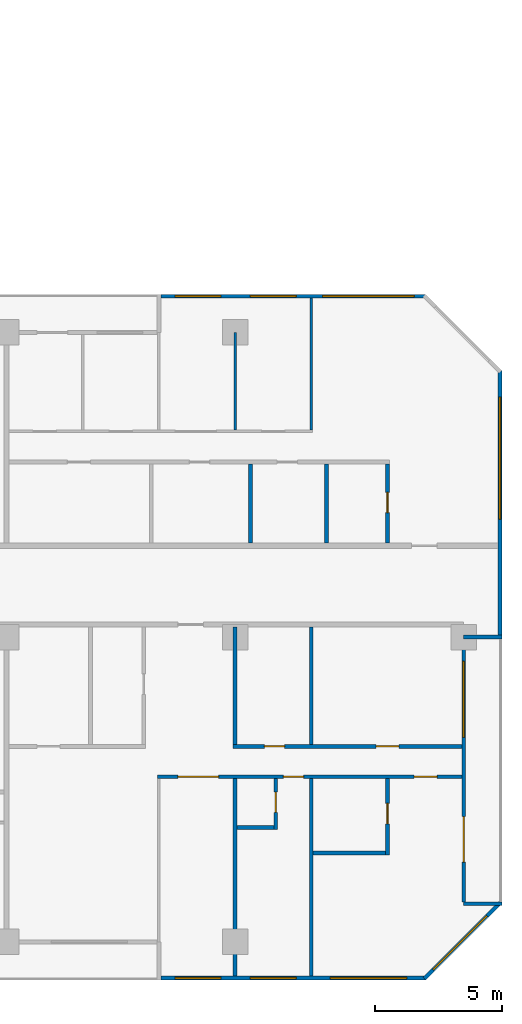
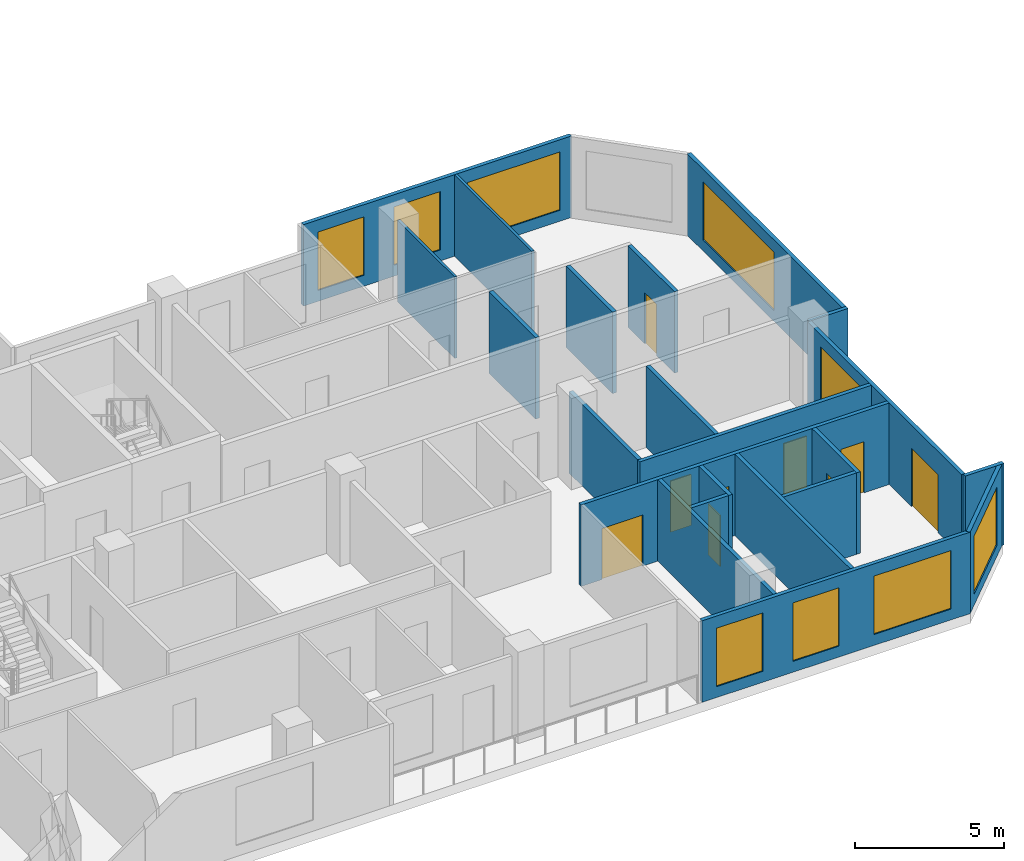
# One storey, part 12 of 15: 22 walls, 9 doors, 9 windows, 18 openings.
"""IFC4 building model written with IfcOpenShell, lengths in metres."""

from ifc_helpers import new_model, si_unit, direction, frame, frame_2d, origin, place, context, subcontext, project, spatial, rectangle, extrude, material, layer, layer_set, type_object, element, fill, save


model = new_model("IFC4")

# Units and contexts
model_context = context("Model", 3, precision=1e-05, world=origin(), true_north=direction((0.0, 1.0)))
body_context = subcontext(model_context, "Body", "Model", "MODEL_VIEW")
ifc_project = project(units=[si_unit("LENGTHUNIT", "METRE"), si_unit("AREAUNIT", "SQUARE_METRE"), si_unit("VOLUMEUNIT", "CUBIC_METRE"), si_unit("PLANEANGLEUNIT", "RADIAN"), si_unit("MASSUNIT", "GRAM", prefix="KILO")], contexts=[model_context])

# Site, building, storey
site_placement = place(None, origin())
site = spatial("IfcSite", under=ifc_project, at=site_placement, CompositionType="ELEMENT")
building_placement = place(site_placement, origin())
building = spatial("IfcBuilding", under=site, at=building_placement, Name="Chenar Terraces", CompositionType="ELEMENT")
storey_placement = place(building_placement, frame((0.0, 0.0, 125.64990234375)))
storey = spatial("IfcBuildingStorey", under=building, at=storey_placement, Name="L29", CompositionType="ELEMENT", Elevation=125.64990234375)

# Wall, openings, windows
ifc_material_1 = material(Name="Aluminium framed glazing", Category="aluminium")
ifc_layer_1 = layer(ifc_material_1, 0.14990234375)
ifc_layer_set_1 = layer_set([ifc_layer_1], Name="Aluminium framed glazing")
wall_type_1 = type_object("IfcWallType", Name="Glazed flush facade wall 150", PredefinedType="SOLIDWALL", material=ifc_layer_set_1)
wall_1_placement = place(storey_placement, frame((70.5, 25.425048828125, 0.0), z_axis=(0.0, 0.0, 1.0), x_axis=(-1.0, 0.0, 0.0)))
wall_1 = element("IfcWall", 1, at=wall_1_placement, inside=storey, type_object=wall_type_1, Name="Glazed flush facade wall", PredefinedType="SOLIDWALL", context=body_context, shape_type="SweptSolid", body=[
    extrude(rectangle(XDim=10.425048828125, YDim=0.14990234375, at=frame_2d((5.21240234375, 0.0))), origin(), (0.0, 0.0, 1.0), 3.35009765625),
])
opening_1_placement = place(wall_1_placement, frame((0.449951171875, 0.0, 0.449951171875)))
opening_1 = element("IfcOpeningElement", 2, at=opening_1_placement, cuts=wall_1, Name="Opening W360x240", PredefinedType="OPENING", context=body_context, shape_type="SweptSolid", body=[
    extrude(rectangle(XDim=3.60009765625, YDim=2.39990234375, at=frame_2d((1.800048828125, 1.199951171875))), frame((0.0, 0.0849609375, 0.0), z_axis=(0.0, -1.0, 0.0), x_axis=(1.0, 0.0, 0.0)), (0.0, 0.0, 1.0), 0.169921875),
])
opening_2_placement = place(wall_1_placement, frame((5.10009765625, 0.0, 0.449951171875)))
opening_2 = element("IfcOpeningElement", 3, at=opening_2_placement, cuts=wall_1, Name="Opening W180x240", PredefinedType="OPENING", context=body_context, shape_type="SweptSolid", body=[
    extrude(rectangle(XDim=1.800048828125, YDim=2.39990234375, at=frame_2d((0.89990234375, 1.199951171875))), frame((0.0, 0.0849609375, 0.0), z_axis=(0.0, -1.0, 0.0), x_axis=(1.0, 0.0, 0.0)), (0.0, 0.0, 1.0), 0.169921875),
])
opening_3_placement = place(wall_1_placement, frame((8.0625, 0.0, 0.449951171875)))
opening_3 = element("IfcOpeningElement", 4, at=opening_3_placement, cuts=wall_1, Name="Opening W180x240", PredefinedType="OPENING", context=body_context, shape_type="SweptSolid", body=[
    extrude(rectangle(XDim=1.800048828125, YDim=2.39990234375, at=frame_2d((0.89990234375, 1.199951171875))), frame((0.0, 0.0849609375, 0.0), z_axis=(0.0, -1.0, 0.0), x_axis=(1.0, 0.0, 0.0)), (0.0, 0.0, 1.0), 0.169921875),
])
ifc_material_2 = material(Name="Low emissivity double glazing, aluminium frame", Category="aluminium")
window_type_1 = type_object("IfcWindowType", Name="Fixed light 1800 x 2400", PartitioningType="SINGLE_PANEL", PredefinedType="WINDOW", material=ifc_material_2)
window_1_placement = place(opening_2_placement, origin())
window_1 = element("IfcWindow", 5, at=window_1_placement, inside=storey, type_object=window_type_1, Name="Window", OverallHeight=2.39990234375, OverallWidth=1.800048828125, PartitioningType="SINGLE_PANEL", PredefinedType="WINDOW", context=body_context, shape_type="SweptSolid", body=[
    extrude(rectangle(XDim=1.800048828125, YDim=2.39990234375, at=frame_2d((0.89990234375, 1.199951171875))), frame((0.0, 0.030029296875, 0.0), z_axis=(0.0, -1.0, 0.0), x_axis=(1.0, 0.0, 0.0)), (0.0, 0.0, 1.0), 0.06005859375),
])
fill(opening_2, window_1)
window_2_placement = place(opening_3_placement, origin())
window_2 = element("IfcWindow", 6, at=window_2_placement, inside=storey, type_object=window_type_1, Name="Window", OverallHeight=2.39990234375, OverallWidth=1.800048828125, PartitioningType="SINGLE_PANEL", PredefinedType="WINDOW", context=body_context, shape_type="SweptSolid", body=[
    extrude(rectangle(XDim=1.800048828125, YDim=2.39990234375, at=frame_2d((0.89990234375, 1.199951171875))), frame((0.0, 0.030029296875, 0.0), z_axis=(0.0, -1.0, 0.0), x_axis=(1.0, 0.0, 0.0)), (0.0, 0.0, 1.0), 0.06005859375),
])
fill(opening_3, window_2)
ifc_material_3 = material(Name="Low emissivity double glazing, aluminium frame", Category="aluminium")
window_type_2 = type_object("IfcWindowType", Name="Fixed light 3600 x 2400", PartitioningType="SINGLE_PANEL", PredefinedType="WINDOW", material=ifc_material_3)
window_3_placement = place(opening_1_placement, origin())
window_3 = element("IfcWindow", 7, at=window_3_placement, inside=storey, type_object=window_type_2, Name="Window", OverallHeight=2.39990234375, OverallWidth=3.60009765625, PartitioningType="SINGLE_PANEL", PredefinedType="WINDOW", context=body_context, shape_type="SweptSolid", body=[
    extrude(rectangle(XDim=3.60009765625, YDim=2.39990234375, at=frame_2d((1.800048828125, 1.199951171875))), frame((0.0, 0.030029296875, 0.0), z_axis=(0.0, -1.0, 0.0), x_axis=(1.0, 0.0, 0.0)), (0.0, 0.0, 1.0), 0.06005859375),
])
fill(opening_1, window_3)

wall_2_placement = place(storey_placement, frame((60.074951171875, -1.425048828125, 0.0), z_axis=(0.0, 0.0, 1.0), x_axis=(1.0, 0.0, 0.0)))
wall_2 = element("IfcWall", 8, at=wall_2_placement, inside=storey, type_object=wall_type_1, Name="Glazed flush facade wall", PredefinedType="SOLIDWALL", context=body_context, shape_type="SweptSolid", body=[
    extrude(rectangle(XDim=10.425048828125, YDim=0.14990234375, at=frame_2d((5.21240234375, 0.0))), origin(), (0.0, 0.0, 1.0), 3.35009765625),
])
opening_4_placement = place(wall_2_placement, frame((0.5625, 0.0, 0.449951171875)))
opening_4 = element("IfcOpeningElement", 9, at=opening_4_placement, cuts=wall_2, Name="Opening W180x240", PredefinedType="OPENING", context=body_context, shape_type="SweptSolid", body=[
    extrude(rectangle(XDim=1.800048828125, YDim=2.39990234375, at=frame_2d((0.89990234375, 1.199951171875))), frame((0.0, 0.0849609375, 0.0), z_axis=(0.0, -1.0, 0.0), x_axis=(1.0, 0.0, 0.0)), (0.0, 0.0, 1.0), 0.169921875),
])
opening_5_placement = place(wall_2_placement, frame((3.52490234375, 0.0, 0.449951171875)))
opening_5 = element("IfcOpeningElement", 10, at=opening_5_placement, cuts=wall_2, Name="Opening W180x240", PredefinedType="OPENING", context=body_context, shape_type="SweptSolid", body=[
    extrude(rectangle(XDim=1.800048828125, YDim=2.39990234375, at=frame_2d((0.89990234375, 1.199951171875))), frame((0.0, 0.0849609375, 0.0), z_axis=(0.0, -1.0, 0.0), x_axis=(1.0, 0.0, 0.0)), (0.0, 0.0, 1.0), 0.169921875),
])
opening_6_placement = place(wall_2_placement, frame((6.675048828125, 0.0, 0.449951171875)))
opening_6 = element("IfcOpeningElement", 11, at=opening_6_placement, cuts=wall_2, Name="Opening W300x240", PredefinedType="OPENING", context=body_context, shape_type="SweptSolid", body=[
    extrude(rectangle(XDim=3.0, YDim=2.39990234375, at=frame_2d((1.5, 1.199951171875))), frame((0.0, 0.0849609375, 0.0), z_axis=(0.0, -1.0, 0.0), x_axis=(1.0, 0.0, 0.0)), (0.0, 0.0, 1.0), 0.169921875),
])
window_4_placement = place(opening_4_placement, origin())
window_4 = element("IfcWindow", 12, at=window_4_placement, inside=storey, type_object=window_type_1, Name="Window", OverallHeight=2.39990234375, OverallWidth=1.800048828125, PartitioningType="SINGLE_PANEL", PredefinedType="WINDOW", context=body_context, shape_type="SweptSolid", body=[
    extrude(rectangle(XDim=1.800048828125, YDim=2.39990234375, at=frame_2d((0.89990234375, 1.199951171875))), frame((0.0, 0.030029296875, 0.0), z_axis=(0.0, -1.0, 0.0), x_axis=(1.0, 0.0, 0.0)), (0.0, 0.0, 1.0), 0.06005859375),
])
fill(opening_4, window_4)
window_5_placement = place(opening_5_placement, origin())
window_5 = element("IfcWindow", 13, at=window_5_placement, inside=storey, type_object=window_type_1, Name="Window", OverallHeight=2.39990234375, OverallWidth=1.800048828125, PartitioningType="SINGLE_PANEL", PredefinedType="WINDOW", context=body_context, shape_type="SweptSolid", body=[
    extrude(rectangle(XDim=1.800048828125, YDim=2.39990234375, at=frame_2d((0.89990234375, 1.199951171875))), frame((0.0, 0.030029296875, 0.0), z_axis=(0.0, -1.0, 0.0), x_axis=(1.0, 0.0, 0.0)), (0.0, 0.0, 1.0), 0.06005859375),
])
fill(opening_5, window_5)
ifc_material_4 = material(Name="Low emissivity double glazing, aluminium frame", Category="aluminium")
window_type_3 = type_object("IfcWindowType", Name="Fixed light 3000 x 2400", PartitioningType="SINGLE_PANEL", PredefinedType="WINDOW", material=ifc_material_4)
window_6_placement = place(opening_6_placement, origin())
window_6 = element("IfcWindow", 14, at=window_6_placement, inside=storey, type_object=window_type_3, Name="Window", OverallHeight=2.39990234375, OverallWidth=3.0, PartitioningType="SINGLE_PANEL", PredefinedType="WINDOW", context=body_context, shape_type="SweptSolid", body=[
    extrude(rectangle(XDim=3.0, YDim=2.39990234375, at=frame_2d((1.5, 1.199951171875))), frame((0.0, 0.030029296875, 0.0), z_axis=(0.0, -1.0, 0.0), x_axis=(1.0, 0.0, 0.0)), (0.0, 0.0, 1.0), 0.06005859375),
])
fill(opening_6, window_6)

# Wall, opening, window
wall_3_placement = place(storey_placement, frame((73.425048828125, 12.074951171875, 0.0), z_axis=(0.0, 0.0, 1.0), x_axis=(0.0, 1.0, 0.0)))
wall_3 = element("IfcWall", 15, at=wall_3_placement, inside=storey, type_object=wall_type_1, Name="Glazed flush facade wall", PredefinedType="SOLIDWALL", context=body_context, shape_type="SweptSolid", body=[
    extrude(rectangle(XDim=10.425048828125, YDim=0.14990234375, at=frame_2d((5.21240234375, 0.0))), origin(), (0.0, 0.0, 1.0), 3.35009765625),
])
opening_7_placement = place(wall_3_placement, frame((4.574951171875, 0.0, 0.449951171875)))
opening_7 = element("IfcOpeningElement", 16, at=opening_7_placement, cuts=wall_3, Name="Opening W480x240", PredefinedType="OPENING", context=body_context, shape_type="SweptSolid", body=[
    extrude(rectangle(XDim=4.800048828125, YDim=2.39990234375, at=frame_2d((2.39990234375, 1.199951171875))), frame((0.0, 0.0849609375, 0.0), z_axis=(0.0, -1.0, 0.0), x_axis=(1.0, 0.0, 0.0)), (0.0, 0.0, 1.0), 0.169921875),
])
ifc_material_5 = material(Name="Low emissivity double glazing, aluminium frame", Category="aluminium")
window_type_4 = type_object("IfcWindowType", Name="Fixed light 4800 x 2400", PartitioningType="SINGLE_PANEL", PredefinedType="WINDOW", material=ifc_material_5)
window_7_placement = place(opening_7_placement, origin())
window_7 = element("IfcWindow", 17, at=window_7_placement, inside=storey, type_object=window_type_4, Name="Window", OverallHeight=2.39990234375, OverallWidth=4.800048828125, PartitioningType="SINGLE_PANEL", PredefinedType="WINDOW", context=body_context, shape_type="SweptSolid", body=[
    extrude(rectangle(XDim=4.800048828125, YDim=2.39990234375, at=frame_2d((2.39990234375, 1.199951171875))), frame((0.0, 0.030029296875, 0.0), z_axis=(0.0, -1.0, 0.0), x_axis=(1.0, 0.0, 0.0)), (0.0, 0.0, 1.0), 0.06005859375),
])
fill(opening_7, window_7)

# Wall, openings, window, door
ifc_material_6 = material(Name="Aluminium framed glazing", Category="aluminium")
ifc_layer_2 = layer(ifc_material_6, 0.14990234375)
ifc_layer_set_2 = layer_set([ifc_layer_2], Name="Aluminium framed glazing")
wall_type_2 = type_object("IfcWallType", Name="Glazed loggia back wall 150", PredefinedType="SOLIDWALL", material=ifc_layer_set_2)
wall_4_placement = place(storey_placement, frame((72.0, 1.574951171875, 0.0), z_axis=(0.0, 0.0, 1.0), x_axis=(0.0, 1.0, 0.0)))
wall_4 = element("IfcWall", 18, at=wall_4_placement, inside=storey, type_object=wall_type_2, Name="Glazed loggia back wall", PredefinedType="SOLIDWALL", context=body_context, shape_type="SweptSolid", body=[
    extrude(rectangle(XDim=10.35009765625, YDim=0.14990234375, at=frame_2d((5.175048828125, 0.0))), origin(), (0.0, 0.0, 1.0), 3.35009765625),
])
opening_8_placement = place(wall_4_placement, frame((1.5625, 0.0, 0.0)))
opening_8 = element("IfcOpeningElement", 19, at=opening_8_placement, cuts=wall_4, Name="Opening DL29-G8", PredefinedType="OPENING", context=body_context, shape_type="SweptSolid", body=[
    extrude(rectangle(XDim=1.800048828125, YDim=2.39990234375, at=frame_2d((0.89990234375, 1.199951171875))), frame((0.0, 0.0849609375, 0.0), z_axis=(0.0, -1.0, 0.0), x_axis=(1.0, 0.0, 0.0)), (0.0, 0.0, 1.0), 0.169921875),
])
opening_9_placement = place(wall_4_placement, frame((6.47509765625, 0.0, 0.449951171875)))
opening_9 = element("IfcOpeningElement", 20, at=opening_9_placement, cuts=wall_4, Name="Opening W300x240", PredefinedType="OPENING", context=body_context, shape_type="SweptSolid", body=[
    extrude(rectangle(XDim=3.0, YDim=2.39990234375, at=frame_2d((1.5, 1.199951171875))), frame((0.0, 0.0849609375, 0.0), z_axis=(0.0, -1.0, 0.0), x_axis=(1.0, 0.0, 0.0)), (0.0, 0.0, 1.0), 0.169921875),
])
window_8_placement = place(opening_9_placement, origin())
window_8 = element("IfcWindow", 21, at=window_8_placement, inside=storey, type_object=window_type_3, Name="Window", OverallHeight=2.39990234375, OverallWidth=3.0, PartitioningType="SINGLE_PANEL", PredefinedType="WINDOW", context=body_context, shape_type="SweptSolid", body=[
    extrude(rectangle(XDim=3.0, YDim=2.39990234375, at=frame_2d((1.5, 1.199951171875))), frame((0.0, 0.030029296875, 0.0), z_axis=(0.0, -1.0, 0.0), x_axis=(1.0, 0.0, 0.0)), (0.0, 0.0, 1.0), 0.06005859375),
])
fill(opening_9, window_8)
ifc_material_7 = material(Name="Low emissivity double glazing, aluminium frame", Category="aluminium")
door_type_1 = type_object("IfcDoorType", Name="Loggia glazed double door 1800 x 2400", OperationType="DOUBLE_DOOR_SINGLE_SWING", PredefinedType="DOOR", material=ifc_material_7)
door_1_placement = place(opening_8_placement, frame((1.800048828125, 0.0, 0.0), z_axis=(0.0, 0.0, 1.0), x_axis=(-1.0, 0.0, 0.0)))
door_1 = element("IfcDoor", 22, at=door_1_placement, inside=storey, type_object=door_type_1, Name="Loggia glazed door", OperationType="DOUBLE_DOOR_SINGLE_SWING", OverallHeight=2.39990234375, OverallWidth=1.800048828125, PredefinedType="DOOR", context=body_context, shape_type="SweptSolid", body=[
    extrude(rectangle(XDim=1.800048828125, YDim=2.39990234375, at=frame_2d((0.89990234375, 1.199951171875))), frame((0.0, 0.02490234375, 0.0), z_axis=(0.0, -1.0, 0.0), x_axis=(1.0, 0.0, 0.0)), (0.0, 0.0, 1.0), 0.050048828125),
])
fill(opening_8, door_1)

# Walls
ifc_material_8 = material(Name="Gypsum board on steel studs", Category="steel")
ifc_layer_3 = layer(ifc_material_8, 0.10009765625)
ifc_layer_set_3 = layer_set([ifc_layer_3], Name="Gypsum board on steel studs")
wall_type_3 = type_object("IfcWallType", Name="Gypsum partition 100", PredefinedType="PARTITIONING", material=ifc_layer_set_3)
wall_5_placement = place(storey_placement, frame((63.0, 20.14990234375, 0.0), z_axis=(0.0, 0.0, 1.0), x_axis=(0.0, 1.0, 0.0)))
element("IfcWall", 23, at=wall_5_placement, inside=storey, type_object=wall_type_3, Name="Partition L29-092", PredefinedType="PARTITIONING", context=body_context, shape_type="SweptSolid", body=[
    extrude(rectangle(XDim=3.85009765625, YDim=0.10009765625, at=frame_2d((1.925048828125, 0.0))), origin(), (0.0, 0.0, 1.0), 3.35009765625),
])
wall_6_placement = place(storey_placement, frame((66.0, 20.14990234375, 0.0), z_axis=(0.0, 0.0, 1.0), x_axis=(0.0, 1.0, 0.0)))
element("IfcWall", 24, at=wall_6_placement, inside=storey, type_object=wall_type_3, Name="Partition L29-098", PredefinedType="PARTITIONING", context=body_context, shape_type="SweptSolid", body=[
    extrude(rectangle(XDim=5.2001953125, YDim=0.10009765625, at=frame_2d((2.60009765625, 0.0))), origin(), (0.0, 0.0, 1.0), 3.35009765625),
])
ifc_material_9 = material(Name="Terracotta cladding on insulated backing", Category="masonry")
ifc_layer_4 = layer(ifc_material_9, 0.14990234375)
ifc_layer_set_4 = layer_set([ifc_layer_4], Name="Terracotta cladding on insulated backing")
wall_type_4 = type_object("IfcWallType", Name="Loggia return wall 150", PredefinedType="SOLIDWALL", material=ifc_layer_set_4)
for number, where, z_axis, x_axis, name in (
    (25, (73.5, 1.5, 0.0), (0.0, 0.0, 1.0), (-1.0, 0.0, 0.0), "Loggia return wall"),
    (26, (73.5, 12.0, 0.0), (0.0, 0.0, 1.0), (-1.0, 0.0, 0.0), "Loggia return wall"),
):
    element("IfcWall", number, at=place(storey_placement, frame(where, z_axis=z_axis, x_axis=x_axis)), inside=storey, type_object=wall_type_4, Name=name, PredefinedType="SOLIDWALL", context=body_context, shape_type="SweptSolid", body=[
        extrude(rectangle(XDim=1.5, YDim=0.14990234375, at=frame_2d((0.75, 0.0))), origin(), (0.0, 0.0, 1.0), 3.35009765625),
    ])

# Wall, opening, window
ifc_material_10 = material(Name="Terracotta cladding on insulated backing", Category="masonry")
ifc_layer_5 = layer(ifc_material_10, 0.14990234375)
ifc_layer_set_5 = layer_set([ifc_layer_5], Name="Terracotta cladding on insulated backing")
wall_type_5 = type_object("IfcWallType", Name="Terracotta rainscreen wall 150", PredefinedType="SOLIDWALL", material=ifc_layer_set_5)
wall_7_placement = place(storey_placement, frame((70.447021484375, -1.447021484375, 0.0), z_axis=(0.0, 0.0, 1.0), x_axis=(0.707106781187, 0.707106781187, 0.0)))
wall_7 = element("IfcWall", 27, at=wall_7_placement, inside=storey, type_object=wall_type_5, Name="Terracotta rainscreen wall", PredefinedType="SOLIDWALL", context=body_context, shape_type="SweptSolid", body=[
    extrude(rectangle(XDim=4.24267578125, YDim=0.14990234375, at=frame_2d((2.121337890625, 0.0))), origin(), (0.0, 0.0, 1.0), 3.35009765625),
])
opening_10_placement = place(wall_7_placement, frame((0.498046875, 0.0, 0.449951171875)))
opening_10 = element("IfcOpeningElement", 28, at=opening_10_placement, cuts=wall_7, Name="Opening W300x240", PredefinedType="OPENING", context=body_context, shape_type="SweptSolid", body=[
    extrude(rectangle(XDim=3.0, YDim=2.39990234375, at=frame_2d((1.5, 1.199951171875))), frame((0.0, 0.0849609375, 0.0), z_axis=(0.0, -1.0, 0.0), x_axis=(1.0, 0.0, 0.0)), (0.0, 0.0, 1.0), 0.169921875),
])
window_9_placement = place(opening_10_placement, origin())
window_9 = element("IfcWindow", 29, at=window_9_placement, inside=storey, type_object=window_type_3, Name="Window", OverallHeight=2.39990234375, OverallWidth=3.0, PartitioningType="SINGLE_PANEL", PredefinedType="WINDOW", context=body_context, shape_type="SweptSolid", body=[
    extrude(rectangle(XDim=3.0, YDim=2.39990234375, at=frame_2d((1.5, 1.199951171875))), frame((0.0, 0.030029296875, 0.0), z_axis=(0.0, -1.0, 0.0), x_axis=(1.0, 0.0, 0.0)), (0.0, 0.0, 1.0), 0.06005859375),
])
fill(opening_10, window_9)

# Wall, openings, doors
ifc_material_11 = material(Name="Moisture-resistant gypsum board on steel studs", Category="steel")
ifc_layer_6 = layer(ifc_material_11, 0.14990234375)
ifc_layer_set_6 = layer_set([ifc_layer_6], Name="Moisture-resistant gypsum board on steel studs")
wall_type_6 = type_object("IfcWallType", Name="Wet-room partition 150", PredefinedType="PARTITIONING", material=ifc_layer_set_6)
wall_8_placement = place(storey_placement, frame((59.949951171875, 6.5, 0.0), z_axis=(0.0, 0.0, 1.0), x_axis=(1.0, 0.0, 0.0)))
wall_8 = element("IfcWall", 30, at=wall_8_placement, inside=storey, type_object=wall_type_6, Name="Partition L29-086", PredefinedType="PARTITIONING", context=body_context, shape_type="SweptSolid", body=[
    extrude(rectangle(XDim=11.97607421875, YDim=0.14990234375, at=frame_2d((5.988037109375, 0.0))), origin(), (0.0, 0.0, 1.0), 3.35009765625),
])
opening_11_placement = place(wall_8_placement, frame((10.10009765625, 0.0, 0.0)))
opening_11 = element("IfcOpeningElement", 31, at=opening_11_placement, cuts=wall_8, Name="Opening DL29-14", PredefinedType="OPENING", context=body_context, shape_type="SweptSolid", body=[
    extrude(rectangle(XDim=0.89990234375, YDim=2.10009765625, at=frame_2d((0.449951171875, 1.050048828125))), frame((0.0, 0.0849609375, 0.0), z_axis=(0.0, -1.0, 0.0), x_axis=(1.0, 0.0, 0.0)), (0.0, 0.0, 1.0), 0.169921875),
])
opening_12_placement = place(wall_8_placement, frame((4.949951171875, 0.0, 0.0)))
opening_12 = element("IfcOpeningElement", 32, at=opening_12_placement, cuts=wall_8, Name="Opening DL29-18", PredefinedType="OPENING", context=body_context, shape_type="SweptSolid", body=[
    extrude(rectangle(XDim=0.800048828125, YDim=2.10009765625, at=frame_2d((0.39990234375, 1.050048828125))), frame((0.0, 0.0849609375, 0.0), z_axis=(0.0, -1.0, 0.0), x_axis=(1.0, 0.0, 0.0)), (0.0, 0.0, 1.0), 0.169921875),
])
opening_13_placement = place(wall_8_placement, frame((0.800048828125, 0.0, 0.0)))
opening_13 = element("IfcOpeningElement", 33, at=opening_13_placement, cuts=wall_8, Name="Opening DL29-20", PredefinedType="OPENING", context=body_context, shape_type="SweptSolid", body=[
    extrude(rectangle(XDim=1.60009765625, YDim=2.10009765625, at=frame_2d((0.800048828125, 1.050048828125))), frame((0.0, 0.0849609375, 0.0), z_axis=(0.0, -1.0, 0.0), x_axis=(1.0, 0.0, 0.0)), (0.0, 0.0, 1.0), 0.169921875),
])
ifc_material_12 = material(Name="Veneered timber door leaf", Category="wood")
door_type_2 = type_object("IfcDoorType", Name="Door 800 x 2100", OperationType="SINGLE_SWING_LEFT", PredefinedType="DOOR", material=ifc_material_12)
door_2_placement = place(opening_12_placement, frame((0.800048828125, 0.0, 0.0), z_axis=(0.0, 0.0, 1.0), x_axis=(-1.0, 0.0, 0.0)))
door_2 = element("IfcDoor", 34, at=door_2_placement, inside=storey, type_object=door_type_2, Name="Door DL29-18", OperationType="SINGLE_SWING_LEFT", OverallHeight=2.10009765625, OverallWidth=0.800048828125, PredefinedType="DOOR", context=body_context, shape_type="SweptSolid", body=[
    extrude(rectangle(XDim=0.800048828125, YDim=2.10009765625, at=frame_2d((0.39990234375, 1.050048828125))), frame((0.0, 0.02490234375, 0.0), z_axis=(0.0, -1.0, 0.0), x_axis=(1.0, 0.0, 0.0)), (0.0, 0.0, 1.0), 0.050048828125),
])
fill(opening_12, door_2)
ifc_material_13 = material(Name="Veneered timber door leaf", Category="wood")
door_type_3 = type_object("IfcDoorType", Name="Door 900 x 2100", OperationType="SINGLE_SWING_LEFT", PredefinedType="DOOR", material=ifc_material_13)
door_3_placement = place(opening_11_placement, frame((0.89990234375, 0.0, 0.0), z_axis=(0.0, 0.0, 1.0), x_axis=(-1.0, 0.0, 0.0)))
door_3 = element("IfcDoor", 35, at=door_3_placement, inside=storey, type_object=door_type_3, Name="Door DL29-14", OperationType="SINGLE_SWING_RIGHT", OverallHeight=2.10009765625, OverallWidth=0.89990234375, PredefinedType="DOOR", context=body_context, shape_type="SweptSolid", body=[
    extrude(rectangle(XDim=0.89990234375, YDim=2.10009765625, at=frame_2d((0.449951171875, 1.050048828125))), frame((0.0, 0.02490234375, 0.0), z_axis=(0.0, -1.0, 0.0), x_axis=(1.0, 0.0, 0.0)), (0.0, 0.0, 1.0), 0.050048828125),
])
fill(opening_11, door_3)
ifc_material_14 = material(Name="Veneered timber door leaf", Category="wood")
door_type_4 = type_object("IfcDoorType", Name="Double door 1600 x 2100", OperationType="DOUBLE_DOOR_SINGLE_SWING", PredefinedType="DOOR", material=ifc_material_14)
door_4_placement = place(opening_13_placement, frame((1.60009765625, 0.0, 0.0), z_axis=(0.0, 0.0, 1.0), x_axis=(-1.0, 0.0, 0.0)))
door_4 = element("IfcDoor", 36, at=door_4_placement, inside=storey, type_object=door_type_4, Name="Door DL29-20", OperationType="DOUBLE_DOOR_SINGLE_SWING", OverallHeight=2.10009765625, OverallWidth=1.60009765625, PredefinedType="DOOR", context=body_context, shape_type="SweptSolid", body=[
    extrude(rectangle(XDim=1.60009765625, YDim=2.10009765625, at=frame_2d((0.800048828125, 1.050048828125))), frame((0.0, 0.02490234375, 0.0), z_axis=(0.0, -1.0, 0.0), x_axis=(1.0, 0.0, 0.0)), (0.0, 0.0, 1.0), 0.050048828125),
])
fill(opening_13, door_4)

wall_9_placement = place(storey_placement, frame((62.925048828125, 7.699951171875, 0.0), z_axis=(0.0, 0.0, 1.0), x_axis=(1.0, 0.0, 0.0)))
wall_9 = element("IfcWall", 37, at=wall_9_placement, inside=storey, type_object=wall_type_6, Name="Partition L29-089", PredefinedType="PARTITIONING", context=body_context, shape_type="SweptSolid", body=[
    extrude(rectangle(XDim=9.0009765625, YDim=0.14990234375, at=frame_2d((4.50048828125, 0.0))), origin(), (0.0, 0.0, 1.0), 3.35009765625),
])
opening_14_placement = place(wall_9_placement, frame((5.625, 0.0, 0.0)))
opening_14 = element("IfcOpeningElement", 38, at=opening_14_placement, cuts=wall_9, Name="Opening DL29-16", PredefinedType="OPENING", context=body_context, shape_type="SweptSolid", body=[
    extrude(rectangle(XDim=0.89990234375, YDim=2.10009765625, at=frame_2d((0.449951171875, 1.050048828125))), frame((0.0, 0.0849609375, 0.0), z_axis=(0.0, -1.0, 0.0), x_axis=(1.0, 0.0, 0.0)), (0.0, 0.0, 1.0), 0.169921875),
])
opening_15_placement = place(wall_9_placement, frame((1.22509765625, 0.0, 0.0)))
opening_15 = element("IfcOpeningElement", 39, at=opening_15_placement, cuts=wall_9, Name="Opening DL29-22", PredefinedType="OPENING", context=body_context, shape_type="SweptSolid", body=[
    extrude(rectangle(XDim=0.800048828125, YDim=2.10009765625, at=frame_2d((0.39990234375, 1.050048828125))), frame((0.0, 0.0849609375, 0.0), z_axis=(0.0, -1.0, 0.0), x_axis=(1.0, 0.0, 0.0)), (0.0, 0.0, 1.0), 0.169921875),
])
door_5_placement = place(opening_15_placement, origin())
door_5 = element("IfcDoor", 40, at=door_5_placement, inside=storey, type_object=door_type_2, Name="Door DL29-22", OperationType="SINGLE_SWING_RIGHT", OverallHeight=2.10009765625, OverallWidth=0.800048828125, PredefinedType="DOOR", context=body_context, shape_type="SweptSolid", body=[
    extrude(rectangle(XDim=0.800048828125, YDim=2.10009765625, at=frame_2d((0.39990234375, 1.050048828125))), frame((0.0, 0.02490234375, 0.0), z_axis=(0.0, -1.0, 0.0), x_axis=(1.0, 0.0, 0.0)), (0.0, 0.0, 1.0), 0.050048828125),
])
fill(opening_15, door_5)
door_6_placement = place(opening_14_placement, origin())
door_6 = element("IfcDoor", 41, at=door_6_placement, inside=storey, type_object=door_type_3, Name="Door DL29-16", OperationType="SINGLE_SWING_RIGHT", OverallHeight=2.10009765625, OverallWidth=0.89990234375, PredefinedType="DOOR", context=body_context, shape_type="SweptSolid", body=[
    extrude(rectangle(XDim=0.89990234375, YDim=2.10009765625, at=frame_2d((0.449951171875, 1.050048828125))), frame((0.0, 0.02490234375, 0.0), z_axis=(0.0, -1.0, 0.0), x_axis=(1.0, 0.0, 0.0)), (0.0, 0.0, 1.0), 0.050048828125),
])
fill(opening_14, door_6)

# Walls
wall_10_placement = place(storey_placement, frame((63.0, -1.35107421875, 0.0), z_axis=(0.0, 0.0, 1.0), x_axis=(0.0, 1.0, 0.0)))
element("IfcWall", 42, at=wall_10_placement, inside=storey, type_object=wall_type_6, Name="Partition L29-090", PredefinedType="PARTITIONING", context=body_context, shape_type="SweptSolid", body=[
    extrude(rectangle(XDim=7.776123046875, YDim=0.14990234375, at=frame_2d((3.88818359375, 0.0))), origin(), (0.0, 0.0, 1.0), 3.35009765625),
])
wall_11_placement = place(storey_placement, frame((63.0, 7.77490234375, 0.0), z_axis=(0.0, 0.0, 1.0), x_axis=(0.0, 1.0, 0.0)))
element("IfcWall", 43, at=wall_11_placement, inside=storey, type_object=wall_type_6, Name="Partition L29-091", PredefinedType="PARTITIONING", context=body_context, shape_type="SweptSolid", body=[
    extrude(rectangle(XDim=4.625, YDim=0.14990234375, at=frame_2d((2.3125, 0.0))), origin(), (0.0, 0.0, 1.0), 3.35009765625),
])
wall_12_placement = place(storey_placement, frame((63.074951171875, 4.5, 0.0), z_axis=(0.0, 0.0, 1.0), x_axis=(1.0, 0.0, 0.0)))
element("IfcWall", 44, at=wall_12_placement, inside=storey, type_object=wall_type_6, Name="Partition L29-093", PredefinedType="PARTITIONING", context=body_context, shape_type="SweptSolid", body=[
    extrude(rectangle(XDim=1.449951171875, YDim=0.14990234375, at=frame_2d((0.72509765625, 0.0))), origin(), (0.0, 0.0, 1.0), 3.35009765625),
])
wall_13_placement = place(storey_placement, frame((63.60009765625, 15.699951171875, 0.0), z_axis=(0.0, 0.0, 1.0), x_axis=(0.0, 1.0, 0.0)))
element("IfcWall", 45, at=wall_13_placement, inside=storey, type_object=wall_type_6, Name="Partition L29-094", PredefinedType="PARTITIONING", context=body_context, shape_type="SweptSolid", body=[
    extrude(rectangle(XDim=3.125, YDim=0.14990234375, at=frame_2d((1.5625, 0.0))), origin(), (0.0, 0.0, 1.0), 3.35009765625),
])

# Wall, opening, door
wall_14_placement = place(storey_placement, frame((64.60009765625, 4.425048828125, 0.0), z_axis=(0.0, 0.0, 1.0), x_axis=(0.0, 1.0, 0.0)))
wall_14 = element("IfcWall", 46, at=wall_14_placement, inside=storey, type_object=wall_type_6, Name="Partition L29-095", PredefinedType="PARTITIONING", context=body_context, shape_type="SweptSolid", body=[
    extrude(rectangle(XDim=2.0, YDim=0.14990234375, at=frame_2d((1.0, 0.0))), origin(), (0.0, 0.0, 1.0), 3.35009765625),
])
opening_16_placement = place(wall_14_placement, frame((0.675048828125, 0.0, 0.0)))
opening_16 = element("IfcOpeningElement", 47, at=opening_16_placement, cuts=wall_14, Name="Opening DL29-19", PredefinedType="OPENING", context=body_context, shape_type="SweptSolid", body=[
    extrude(rectangle(XDim=0.800048828125, YDim=2.10009765625, at=frame_2d((0.39990234375, 1.050048828125))), frame((0.0, 0.0849609375, 0.0), z_axis=(0.0, -1.0, 0.0), x_axis=(1.0, 0.0, 0.0)), (0.0, 0.0, 1.0), 0.169921875),
])
door_7_placement = place(opening_16_placement, origin())
door_7 = element("IfcDoor", 48, at=door_7_placement, inside=storey, type_object=door_type_2, Name="Door DL29-19", OperationType="SINGLE_SWING_LEFT", OverallHeight=2.10009765625, OverallWidth=0.800048828125, PredefinedType="DOOR", context=body_context, shape_type="SweptSolid", body=[
    extrude(rectangle(XDim=0.800048828125, YDim=2.10009765625, at=frame_2d((0.39990234375, 1.050048828125))), frame((0.0, 0.02490234375, 0.0), z_axis=(0.0, -1.0, 0.0), x_axis=(1.0, 0.0, 0.0)), (0.0, 0.0, 1.0), 0.050048828125),
])
fill(opening_16, door_7)

# Walls
wall_15_placement = place(storey_placement, frame((66.0, -1.35107421875, 0.0), z_axis=(0.0, 0.0, 1.0), x_axis=(0.0, 1.0, 0.0)))
element("IfcWall", 49, at=wall_15_placement, inside=storey, type_object=wall_type_6, Name="Partition L29-096", PredefinedType="PARTITIONING", context=body_context, shape_type="SweptSolid", body=[
    extrude(rectangle(XDim=7.776123046875, YDim=0.14990234375, at=frame_2d((3.88818359375, 0.0))), origin(), (0.0, 0.0, 1.0), 3.35009765625),
])
wall_16_placement = place(storey_placement, frame((66.0, 7.77490234375, 0.0), z_axis=(0.0, 0.0, 1.0), x_axis=(0.0, 1.0, 0.0)))
element("IfcWall", 50, at=wall_16_placement, inside=storey, type_object=wall_type_6, Name="Partition L29-097", PredefinedType="PARTITIONING", context=body_context, shape_type="SweptSolid", body=[
    extrude(rectangle(XDim=4.625, YDim=0.14990234375, at=frame_2d((2.3125, 0.0))), origin(), (0.0, 0.0, 1.0), 3.35009765625),
])
wall_17_placement = place(storey_placement, frame((66.074951171875, 3.5, 0.0), z_axis=(0.0, 0.0, 1.0), x_axis=(1.0, 0.0, 0.0)))
element("IfcWall", 51, at=wall_17_placement, inside=storey, type_object=wall_type_6, Name="Partition L29-099", PredefinedType="PARTITIONING", context=body_context, shape_type="SweptSolid", body=[
    extrude(rectangle(XDim=2.85009765625, YDim=0.14990234375, at=frame_2d((1.425048828125, 0.0))), origin(), (0.0, 0.0, 1.0), 3.35009765625),
])
wall_18_placement = place(storey_placement, frame((66.60009765625, 15.699951171875, 0.0), z_axis=(0.0, 0.0, 1.0), x_axis=(0.0, 1.0, 0.0)))
element("IfcWall", 52, at=wall_18_placement, inside=storey, type_object=wall_type_6, Name="Partition L29-100", PredefinedType="PARTITIONING", context=body_context, shape_type="SweptSolid", body=[
    extrude(rectangle(XDim=3.125, YDim=0.14990234375, at=frame_2d((1.5625, 0.0))), origin(), (0.0, 0.0, 1.0), 3.35009765625),
])

# Wall, opening, door
wall_19_placement = place(storey_placement, frame((69.0, 3.425048828125, 0.0), z_axis=(0.0, 0.0, 1.0), x_axis=(0.0, 1.0, 0.0)))
wall_19 = element("IfcWall", 53, at=wall_19_placement, inside=storey, type_object=wall_type_6, Name="Partition L29-101", PredefinedType="PARTITIONING", context=body_context, shape_type="SweptSolid", body=[
    extrude(rectangle(XDim=3.0, YDim=0.14990234375, at=frame_2d((1.5, 0.0))), origin(), (0.0, 0.0, 1.0), 3.35009765625),
])
opening_17_placement = place(wall_19_placement, frame((1.22509765625, 0.0, 0.0)))
opening_17 = element("IfcOpeningElement", 54, at=opening_17_placement, cuts=wall_19, Name="Opening DL29-15", PredefinedType="OPENING", context=body_context, shape_type="SweptSolid", body=[
    extrude(rectangle(XDim=0.800048828125, YDim=2.10009765625, at=frame_2d((0.39990234375, 1.050048828125))), frame((0.0, 0.0849609375, 0.0), z_axis=(0.0, -1.0, 0.0), x_axis=(1.0, 0.0, 0.0)), (0.0, 0.0, 1.0), 0.169921875),
])
door_8_placement = place(opening_17_placement, origin())
door_8 = element("IfcDoor", 55, at=door_8_placement, inside=storey, type_object=door_type_2, Name="Door DL29-15", OperationType="SINGLE_SWING_RIGHT", OverallHeight=2.10009765625, OverallWidth=0.800048828125, PredefinedType="DOOR", context=body_context, shape_type="SweptSolid", body=[
    extrude(rectangle(XDim=0.800048828125, YDim=2.10009765625, at=frame_2d((0.39990234375, 1.050048828125))), frame((0.0, 0.02490234375, 0.0), z_axis=(0.0, -1.0, 0.0), x_axis=(1.0, 0.0, 0.0)), (0.0, 0.0, 1.0), 0.050048828125),
])
fill(opening_17, door_8)

wall_20_placement = place(storey_placement, frame((69.0, 15.699951171875, 0.0), z_axis=(0.0, 0.0, 1.0), x_axis=(0.0, 1.0, 0.0)))
wall_20 = element("IfcWall", 56, at=wall_20_placement, inside=storey, type_object=wall_type_6, Name="Partition L29-102", PredefinedType="PARTITIONING", context=body_context, shape_type="SweptSolid", body=[
    extrude(rectangle(XDim=3.125, YDim=0.14990234375, at=frame_2d((1.5625, 0.0))), origin(), (0.0, 0.0, 1.0), 3.35009765625),
])
opening_18_placement = place(wall_20_placement, frame((1.199951171875, 0.0, 0.0)))
opening_18 = element("IfcOpeningElement", 57, at=opening_18_placement, cuts=wall_20, Name="Opening DL29-4", PredefinedType="OPENING", context=body_context, shape_type="SweptSolid", body=[
    extrude(rectangle(XDim=0.800048828125, YDim=2.10009765625, at=frame_2d((0.39990234375, 1.050048828125))), frame((0.0, 0.0849609375, 0.0), z_axis=(0.0, -1.0, 0.0), x_axis=(1.0, 0.0, 0.0)), (0.0, 0.0, 1.0), 0.169921875),
])
door_9_placement = place(opening_18_placement, origin())
door_9 = element("IfcDoor", 58, at=door_9_placement, inside=storey, type_object=door_type_2, Name="Door DL29-4", OperationType="SINGLE_SWING_RIGHT", OverallHeight=2.10009765625, OverallWidth=0.800048828125, PredefinedType="DOOR", context=body_context, shape_type="SweptSolid", body=[
    extrude(rectangle(XDim=0.800048828125, YDim=2.10009765625, at=frame_2d((0.39990234375, 1.050048828125))), frame((0.0, 0.02490234375, 0.0), z_axis=(0.0, -1.0, 0.0), x_axis=(1.0, 0.0, 0.0)), (0.0, 0.0, 1.0), 0.050048828125),
])
fill(opening_18, door_9)

save(model, "model.ifc")
